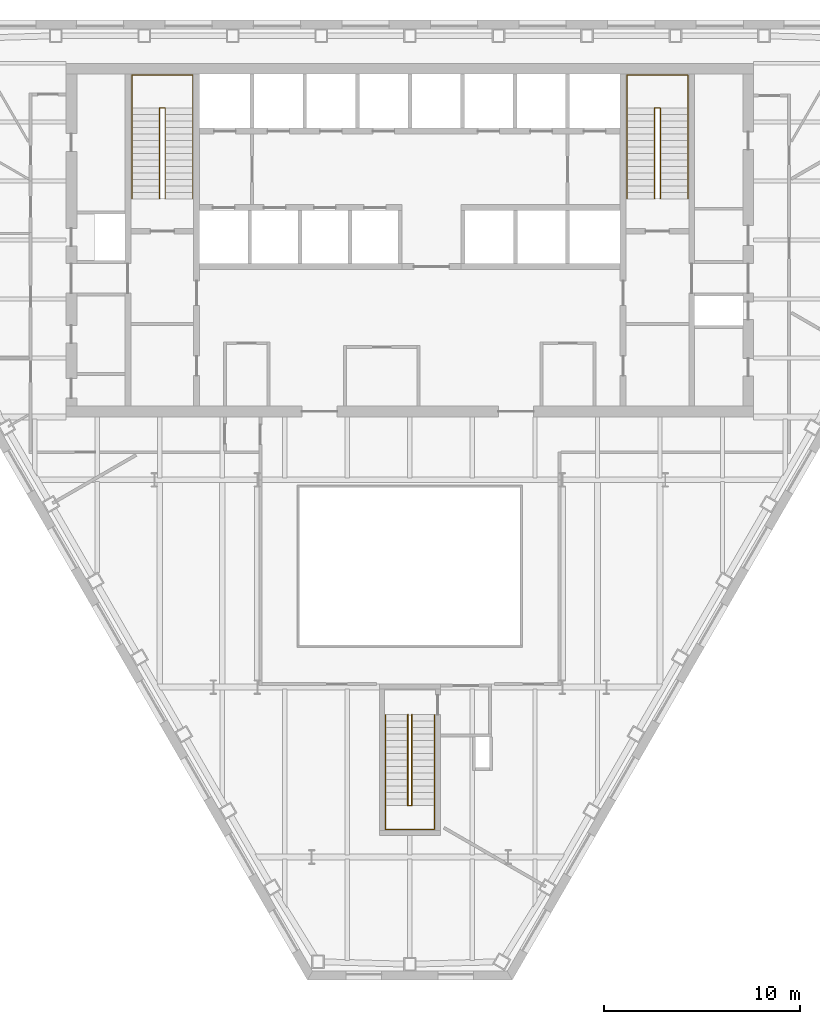
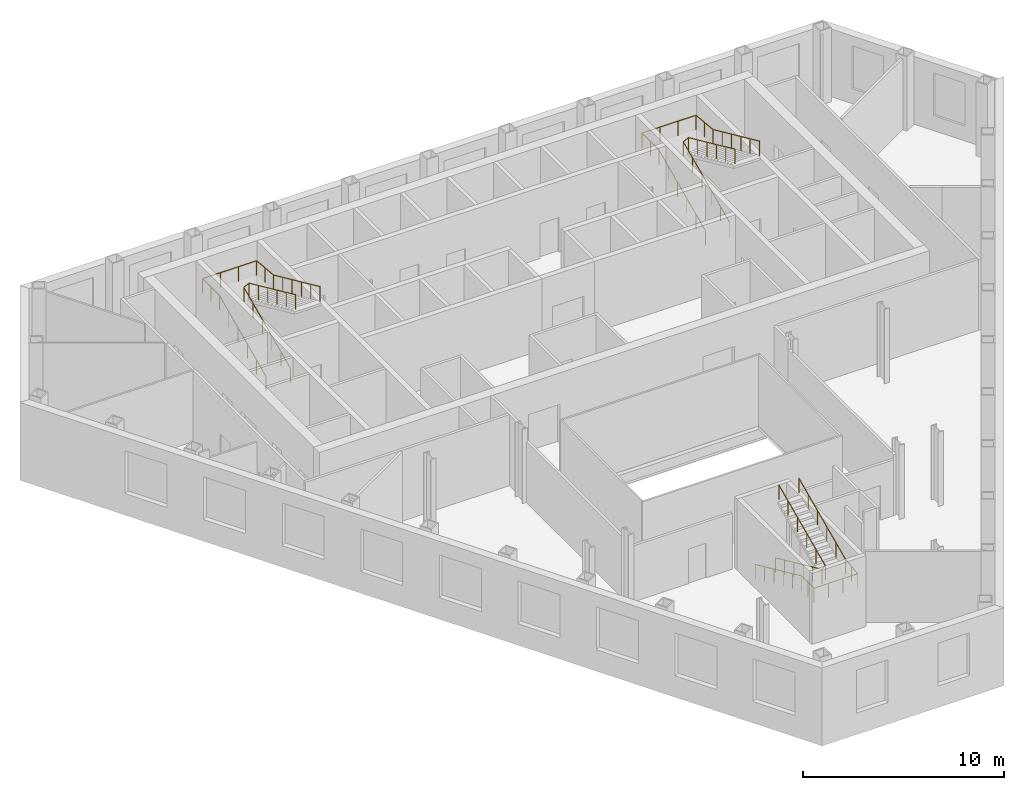
# One storey, part 11 of 11: 6 railings.
"""IFC4 building model written with IfcOpenShell, lengths in metres."""

from ifc_helpers import new_model, si_unit, direction, frame, origin, origin_2d, place, context, subcontext, project, spatial, circle, extrude, material, type_object, element, save


model = new_model("IFC4")

# Units and contexts
model_context = context("Model", 3, precision=1e-05, world=origin(), true_north=direction((0.0, 1.0)))
body_context = subcontext(model_context, "Body", "Model", "MODEL_VIEW")
ifc_project = project(units=[si_unit("LENGTHUNIT", "METRE"), si_unit("AREAUNIT", "SQUARE_METRE"), si_unit("VOLUMEUNIT", "CUBIC_METRE"), si_unit("PLANEANGLEUNIT", "RADIAN"), si_unit("MASSUNIT", "GRAM", prefix="KILO")], contexts=[model_context])

# Site, building, storey
site_placement = place(None, origin())
site = spatial("IfcSite", under=ifc_project, at=site_placement, CompositionType="ELEMENT")
building_placement = place(site_placement, origin())
building = spatial("IfcBuilding", under=site, at=building_placement, Name="Njiva Tower", CompositionType="ELEMENT")
storey_placement = place(building_placement, frame((0.0, 0.0, 93.3)))
storey = spatial("IfcBuildingStorey", under=building, at=storey_placement, Name="L19", CompositionType="ELEMENT", Elevation=93.3)

# Railings
ifc_material = material(Name="Stainless steel", Category="steel")
railing_type = type_object("IfcRailingType", Name="RL1 Stair handrail 900", PredefinedType="HANDRAIL", material=ifc_material)
railing_1_placement = place(storey_placement, frame((-14.15, 11.1, 0.15)))
element("IfcRailing", 1, at=railing_1_placement, inside=storey, type_object=railing_type, Name="Stair A handrail", PredefinedType="HANDRAIL", context=body_context, shape_type="SweptSolid", body=[
    extrude(circle(Radius=0.024, at=origin_2d()), frame((0.0, 0.0, 0.876), z_axis=(0.0, 0.910366477463, 0.413802944301), x_axis=(-1.0, 0.0, 0.0)), (0.0, 0.0, 1.0), 5.0749),
    extrude(circle(Radius=0.024, at=origin_2d()), frame((0.0, 4.62, 2.976), z_axis=(0.0, 1.0, 0.0), x_axis=(-1.0, 0.0, 0.0)), (0.0, 0.0, 1.0), 1.68),
    extrude(circle(Radius=0.024, at=origin_2d()), frame((0.0, 6.3, 2.976), z_axis=(1.0, 0.0, 0.0), x_axis=(0.0, 1.0, 0.0)), (0.0, 0.0, 1.0), 3.1),
    extrude(circle(Radius=0.024, at=origin_2d()), frame((3.1, 6.3, 2.976), z_axis=(0.0, -0.996037705314, 0.088931937975), x_axis=(1.0, 0.0, 0.0)), (0.0, 0.0, 1.0), 1.6867),
    extrude(circle(Radius=0.024, at=origin_2d()), frame((3.1, 4.62, 3.126), z_axis=(0.0, -0.910366477463, 0.413802944301), x_axis=(1.0, 0.0, 0.0)), (0.0, 0.0, 1.0), 5.0749),
    extrude(circle(Radius=0.021, at=origin_2d()), origin(), (0.0, 0.0, 1.0), 0.852),
    extrude(circle(Radius=0.021, at=origin_2d()), frame((0.0, 0.924, 0.42)), (0.0, 0.0, 1.0), 0.852),
    extrude(circle(Radius=0.021, at=origin_2d()), frame((0.0, 1.848, 0.84)), (0.0, 0.0, 1.0), 0.852),
    extrude(circle(Radius=0.021, at=origin_2d()), frame((0.0, 2.772, 1.26)), (0.0, 0.0, 1.0), 0.852),
    extrude(circle(Radius=0.021, at=origin_2d()), frame((0.0, 3.696, 1.68)), (0.0, 0.0, 1.0), 0.852),
    extrude(circle(Radius=0.021, at=origin_2d()), frame((0.0, 4.62, 2.1)), (0.0, 0.0, 1.0), 0.852),
    extrude(circle(Radius=0.021, at=origin_2d()), frame((0.0, 5.46, 2.1)), (0.0, 0.0, 1.0), 0.852),
    extrude(circle(Radius=0.021, at=origin_2d()), frame((0.0, 6.3, 2.1)), (0.0, 0.0, 1.0), 0.852),
    extrude(circle(Radius=0.021, at=origin_2d()), frame((1.0333, 6.3, 2.1)), (0.0, 0.0, 1.0), 0.852),
    extrude(circle(Radius=0.021, at=origin_2d()), frame((2.0667, 6.3, 2.1)), (0.0, 0.0, 1.0), 0.852),
    extrude(circle(Radius=0.021, at=origin_2d()), frame((3.1, 6.3, 2.1)), (0.0, 0.0, 1.0), 0.852),
    extrude(circle(Radius=0.021, at=origin_2d()), frame((3.1, 5.46, 2.175)), (0.0, 0.0, 1.0), 0.852),
    extrude(circle(Radius=0.021, at=origin_2d()), frame((3.1, 4.62, 2.25)), (0.0, 0.0, 1.0), 0.852),
    extrude(circle(Radius=0.021, at=origin_2d()), frame((3.1, 3.696, 2.67)), (0.0, 0.0, 1.0), 0.852),
    extrude(circle(Radius=0.021, at=origin_2d()), frame((3.1, 2.772, 3.09)), (0.0, 0.0, 1.0), 0.852),
    extrude(circle(Radius=0.021, at=origin_2d()), frame((3.1, 1.848, 3.51)), (0.0, 0.0, 1.0), 0.852),
    extrude(circle(Radius=0.021, at=origin_2d()), frame((3.1, 0.924, 3.93)), (0.0, 0.0, 1.0), 0.852),
    extrude(circle(Radius=0.021, at=origin_2d()), frame((3.1, 0.0, 4.35)), (0.0, 0.0, 1.0), 0.852),
])
railing_2_placement = place(storey_placement, frame((-12.75, 11.1, 0.15)))
element("IfcRailing", 2, at=railing_2_placement, inside=storey, type_object=railing_type, Name="Stair A handrail", PredefinedType="HANDRAIL", context=body_context, shape_type="SweptSolid", body=[
    extrude(circle(Radius=0.024, at=origin_2d()), frame((0.0, 0.0, 0.876), z_axis=(0.0, 0.910366477463, 0.413802944301), x_axis=(-1.0, 0.0, 0.0)), (0.0, 0.0, 1.0), 5.0749),
    extrude(circle(Radius=0.024, at=origin_2d()), frame((0.0, 4.62, 2.976), z_axis=(0.894427191, 0.0, 0.4472135955), x_axis=(0.0, 1.0, 0.0)), (0.0, 0.0, 1.0), 0.3354),
    extrude(circle(Radius=0.024, at=origin_2d()), frame((0.3, 4.62, 3.126), z_axis=(0.0, -0.910366477463, 0.413802944301), x_axis=(1.0, 0.0, 0.0)), (0.0, 0.0, 1.0), 5.0749),
    extrude(circle(Radius=0.021, at=origin_2d()), origin(), (0.0, 0.0, 1.0), 0.852),
    extrude(circle(Radius=0.021, at=origin_2d()), frame((0.0, 0.924, 0.42)), (0.0, 0.0, 1.0), 0.852),
    extrude(circle(Radius=0.021, at=origin_2d()), frame((0.0, 1.848, 0.84)), (0.0, 0.0, 1.0), 0.852),
    extrude(circle(Radius=0.021, at=origin_2d()), frame((0.0, 2.772, 1.26)), (0.0, 0.0, 1.0), 0.852),
    extrude(circle(Radius=0.021, at=origin_2d()), frame((0.0, 3.696, 1.68)), (0.0, 0.0, 1.0), 0.852),
    extrude(circle(Radius=0.021, at=origin_2d()), frame((0.0, 4.62, 2.1)), (0.0, 0.0, 1.0), 0.852),
    extrude(circle(Radius=0.021, at=origin_2d()), frame((0.3, 4.62, 2.25)), (0.0, 0.0, 1.0), 0.852),
    extrude(circle(Radius=0.021, at=origin_2d()), frame((0.3, 3.696, 2.67)), (0.0, 0.0, 1.0), 0.852),
    extrude(circle(Radius=0.021, at=origin_2d()), frame((0.3, 2.772, 3.09)), (0.0, 0.0, 1.0), 0.852),
    extrude(circle(Radius=0.021, at=origin_2d()), frame((0.3, 1.848, 3.51)), (0.0, 0.0, 1.0), 0.852),
    extrude(circle(Radius=0.021, at=origin_2d()), frame((0.3, 0.924, 3.93)), (0.0, 0.0, 1.0), 0.852),
    extrude(circle(Radius=0.021, at=origin_2d()), frame((0.3, 0.0, 4.35)), (0.0, 0.0, 1.0), 0.852),
])
railing_3_placement = place(storey_placement, frame((11.05, 11.1, 0.15)))
element("IfcRailing", 3, at=railing_3_placement, inside=storey, type_object=railing_type, Name="Stair B handrail", PredefinedType="HANDRAIL", context=body_context, shape_type="SweptSolid", body=[
    extrude(circle(Radius=0.024, at=origin_2d()), frame((0.0, 0.0, 0.876), z_axis=(0.0, 0.910366477463, 0.413802944301), x_axis=(-1.0, 0.0, 0.0)), (0.0, 0.0, 1.0), 5.0749),
    extrude(circle(Radius=0.024, at=origin_2d()), frame((0.0, 4.62, 2.976), z_axis=(0.0, 1.0, 0.0), x_axis=(-1.0, 0.0, 0.0)), (0.0, 0.0, 1.0), 1.68),
    extrude(circle(Radius=0.024, at=origin_2d()), frame((0.0, 6.3, 2.976), z_axis=(1.0, 0.0, 0.0), x_axis=(0.0, 1.0, 0.0)), (0.0, 0.0, 1.0), 3.1),
    extrude(circle(Radius=0.024, at=origin_2d()), frame((3.1, 6.3, 2.976), z_axis=(0.0, -0.996037705314, 0.088931937975), x_axis=(1.0, 0.0, 0.0)), (0.0, 0.0, 1.0), 1.6867),
    extrude(circle(Radius=0.024, at=origin_2d()), frame((3.1, 4.62, 3.126), z_axis=(0.0, -0.910366477463, 0.413802944301), x_axis=(1.0, 0.0, 0.0)), (0.0, 0.0, 1.0), 5.0749),
    extrude(circle(Radius=0.021, at=origin_2d()), origin(), (0.0, 0.0, 1.0), 0.852),
    extrude(circle(Radius=0.021, at=origin_2d()), frame((0.0, 0.924, 0.42)), (0.0, 0.0, 1.0), 0.852),
    extrude(circle(Radius=0.021, at=origin_2d()), frame((0.0, 1.848, 0.84)), (0.0, 0.0, 1.0), 0.852),
    extrude(circle(Radius=0.021, at=origin_2d()), frame((0.0, 2.772, 1.26)), (0.0, 0.0, 1.0), 0.852),
    extrude(circle(Radius=0.021, at=origin_2d()), frame((0.0, 3.696, 1.68)), (0.0, 0.0, 1.0), 0.852),
    extrude(circle(Radius=0.021, at=origin_2d()), frame((0.0, 4.62, 2.1)), (0.0, 0.0, 1.0), 0.852),
    extrude(circle(Radius=0.021, at=origin_2d()), frame((0.0, 5.46, 2.1)), (0.0, 0.0, 1.0), 0.852),
    extrude(circle(Radius=0.021, at=origin_2d()), frame((0.0, 6.3, 2.1)), (0.0, 0.0, 1.0), 0.852),
    extrude(circle(Radius=0.021, at=origin_2d()), frame((1.0333, 6.3, 2.1)), (0.0, 0.0, 1.0), 0.852),
    extrude(circle(Radius=0.021, at=origin_2d()), frame((2.0667, 6.3, 2.1)), (0.0, 0.0, 1.0), 0.852),
    extrude(circle(Radius=0.021, at=origin_2d()), frame((3.1, 6.3, 2.1)), (0.0, 0.0, 1.0), 0.852),
    extrude(circle(Radius=0.021, at=origin_2d()), frame((3.1, 5.46, 2.175)), (0.0, 0.0, 1.0), 0.852),
    extrude(circle(Radius=0.021, at=origin_2d()), frame((3.1, 4.62, 2.25)), (0.0, 0.0, 1.0), 0.852),
    extrude(circle(Radius=0.021, at=origin_2d()), frame((3.1, 3.696, 2.67)), (0.0, 0.0, 1.0), 0.852),
    extrude(circle(Radius=0.021, at=origin_2d()), frame((3.1, 2.772, 3.09)), (0.0, 0.0, 1.0), 0.852),
    extrude(circle(Radius=0.021, at=origin_2d()), frame((3.1, 1.848, 3.51)), (0.0, 0.0, 1.0), 0.852),
    extrude(circle(Radius=0.021, at=origin_2d()), frame((3.1, 0.924, 3.93)), (0.0, 0.0, 1.0), 0.852),
    extrude(circle(Radius=0.021, at=origin_2d()), frame((3.1, 0.0, 4.35)), (0.0, 0.0, 1.0), 0.852),
])
railing_4_placement = place(storey_placement, frame((12.45, 11.1, 0.15)))
element("IfcRailing", 4, at=railing_4_placement, inside=storey, type_object=railing_type, Name="Stair B handrail", PredefinedType="HANDRAIL", context=body_context, shape_type="SweptSolid", body=[
    extrude(circle(Radius=0.024, at=origin_2d()), frame((0.0, 0.0, 0.876), z_axis=(0.0, 0.910366477463, 0.413802944301), x_axis=(-1.0, 0.0, 0.0)), (0.0, 0.0, 1.0), 5.0749),
    extrude(circle(Radius=0.024, at=origin_2d()), frame((0.0, 4.62, 2.976), z_axis=(0.894427191, 0.0, 0.4472135955), x_axis=(0.0, 1.0, 0.0)), (0.0, 0.0, 1.0), 0.3354),
    extrude(circle(Radius=0.024, at=origin_2d()), frame((0.3, 4.62, 3.126), z_axis=(0.0, -0.910366477463, 0.413802944301), x_axis=(1.0, 0.0, 0.0)), (0.0, 0.0, 1.0), 5.0749),
    extrude(circle(Radius=0.021, at=origin_2d()), origin(), (0.0, 0.0, 1.0), 0.852),
    extrude(circle(Radius=0.021, at=origin_2d()), frame((0.0, 0.924, 0.42)), (0.0, 0.0, 1.0), 0.852),
    extrude(circle(Radius=0.021, at=origin_2d()), frame((0.0, 1.848, 0.84)), (0.0, 0.0, 1.0), 0.852),
    extrude(circle(Radius=0.021, at=origin_2d()), frame((0.0, 2.772, 1.26)), (0.0, 0.0, 1.0), 0.852),
    extrude(circle(Radius=0.021, at=origin_2d()), frame((0.0, 3.696, 1.68)), (0.0, 0.0, 1.0), 0.852),
    extrude(circle(Radius=0.021, at=origin_2d()), frame((0.0, 4.62, 2.1)), (0.0, 0.0, 1.0), 0.852),
    extrude(circle(Radius=0.021, at=origin_2d()), frame((0.3, 4.62, 2.25)), (0.0, 0.0, 1.0), 0.852),
    extrude(circle(Radius=0.021, at=origin_2d()), frame((0.3, 3.696, 2.67)), (0.0, 0.0, 1.0), 0.852),
    extrude(circle(Radius=0.021, at=origin_2d()), frame((0.3, 2.772, 3.09)), (0.0, 0.0, 1.0), 0.852),
    extrude(circle(Radius=0.021, at=origin_2d()), frame((0.3, 1.848, 3.51)), (0.0, 0.0, 1.0), 0.852),
    extrude(circle(Radius=0.021, at=origin_2d()), frame((0.3, 0.924, 3.93)), (0.0, 0.0, 1.0), 0.852),
    extrude(circle(Radius=0.021, at=origin_2d()), frame((0.3, 0.0, 4.35)), (0.0, 0.0, 1.0), 0.852),
])
railing_5_placement = place(storey_placement, frame((-1.25, -15.16, 0.15)))
element("IfcRailing", 5, at=railing_5_placement, inside=storey, type_object=railing_type, Name="Stair C handrail", PredefinedType="HANDRAIL", context=body_context, shape_type="SweptSolid", body=[
    extrude(circle(Radius=0.024, at=origin_2d()), frame((0.0, 0.0, 0.876), z_axis=(0.0, -0.910366477463, 0.413802944301), x_axis=(1.0, 0.0, 0.0)), (0.0, 0.0, 1.0), 5.0749),
    extrude(circle(Radius=0.024, at=origin_2d()), frame((0.0, -4.62, 2.976), z_axis=(0.0, -1.0, 0.0), x_axis=(1.0, 0.0, 0.0)), (0.0, 0.0, 1.0), 1.22),
    extrude(circle(Radius=0.024, at=origin_2d()), frame((0.0, -5.84, 2.976), z_axis=(1.0, 0.0, 0.0), x_axis=(0.0, 1.0, 0.0)), (0.0, 0.0, 1.0), 2.5),
    extrude(circle(Radius=0.024, at=origin_2d()), frame((2.5, -5.84, 2.976), z_axis=(0.0, 0.992526177815, 0.122031907108), x_axis=(-1.0, 0.0, 0.0)), (0.0, 0.0, 1.0), 1.2292),
    extrude(circle(Radius=0.024, at=origin_2d()), frame((2.5, -4.62, 3.126), z_axis=(0.0, 0.910366477463, 0.413802944301), x_axis=(-1.0, 0.0, 0.0)), (0.0, 0.0, 1.0), 5.0749),
    extrude(circle(Radius=0.021, at=origin_2d()), origin(), (0.0, 0.0, 1.0), 0.852),
    extrude(circle(Radius=0.021, at=origin_2d()), frame((0.0, -0.924, 0.42)), (0.0, 0.0, 1.0), 0.852),
    extrude(circle(Radius=0.021, at=origin_2d()), frame((0.0, -1.848, 0.84)), (0.0, 0.0, 1.0), 0.852),
    extrude(circle(Radius=0.021, at=origin_2d()), frame((0.0, -2.772, 1.26)), (0.0, 0.0, 1.0), 0.852),
    extrude(circle(Radius=0.021, at=origin_2d()), frame((0.0, -3.696, 1.68)), (0.0, 0.0, 1.0), 0.852),
    extrude(circle(Radius=0.021, at=origin_2d()), frame((0.0, -4.62, 2.1)), (0.0, 0.0, 1.0), 0.852),
    extrude(circle(Radius=0.021, at=origin_2d()), frame((0.0, -5.23, 2.1)), (0.0, 0.0, 1.0), 0.852),
    extrude(circle(Radius=0.021, at=origin_2d()), frame((0.0, -5.84, 2.1)), (0.0, 0.0, 1.0), 0.852),
    extrude(circle(Radius=0.021, at=origin_2d()), frame((0.8333, -5.84, 2.1)), (0.0, 0.0, 1.0), 0.852),
    extrude(circle(Radius=0.021, at=origin_2d()), frame((1.6667, -5.84, 2.1)), (0.0, 0.0, 1.0), 0.852),
    extrude(circle(Radius=0.021, at=origin_2d()), frame((2.5, -5.84, 2.1)), (0.0, 0.0, 1.0), 0.852),
    extrude(circle(Radius=0.021, at=origin_2d()), frame((2.5, -5.23, 2.175)), (0.0, 0.0, 1.0), 0.852),
    extrude(circle(Radius=0.021, at=origin_2d()), frame((2.5, -4.62, 2.25)), (0.0, 0.0, 1.0), 0.852),
    extrude(circle(Radius=0.021, at=origin_2d()), frame((2.5, -3.696, 2.67)), (0.0, 0.0, 1.0), 0.852),
    extrude(circle(Radius=0.021, at=origin_2d()), frame((2.5, -2.772, 3.09)), (0.0, 0.0, 1.0), 0.852),
    extrude(circle(Radius=0.021, at=origin_2d()), frame((2.5, -1.848, 3.51)), (0.0, 0.0, 1.0), 0.852),
    extrude(circle(Radius=0.021, at=origin_2d()), frame((2.5, -0.924, 3.93)), (0.0, 0.0, 1.0), 0.852),
    extrude(circle(Radius=0.021, at=origin_2d()), frame((2.5, 0.0, 4.35)), (0.0, 0.0, 1.0), 0.852),
])
railing_6_placement = place(storey_placement, frame((-0.1, -15.16, 0.15)))
element("IfcRailing", 6, at=railing_6_placement, inside=storey, type_object=railing_type, Name="Stair C handrail", PredefinedType="HANDRAIL", context=body_context, shape_type="SweptSolid", body=[
    extrude(circle(Radius=0.024, at=origin_2d()), frame((0.0, 0.0, 0.876), z_axis=(0.0, -0.910366477463, 0.413802944301), x_axis=(1.0, 0.0, 0.0)), (0.0, 0.0, 1.0), 5.0749),
    extrude(circle(Radius=0.024, at=origin_2d()), frame((0.0, -4.62, 2.976), z_axis=(0.8, 0.0, 0.6), x_axis=(0.0, 1.0, 0.0)), (0.0, 0.0, 1.0), 0.25),
    extrude(circle(Radius=0.024, at=origin_2d()), frame((0.2, -4.62, 3.126), z_axis=(0.0, 0.910366477463, 0.413802944301), x_axis=(-1.0, 0.0, 0.0)), (0.0, 0.0, 1.0), 5.0749),
    extrude(circle(Radius=0.021, at=origin_2d()), origin(), (0.0, 0.0, 1.0), 0.852),
    extrude(circle(Radius=0.021, at=origin_2d()), frame((0.0, -0.924, 0.42)), (0.0, 0.0, 1.0), 0.852),
    extrude(circle(Radius=0.021, at=origin_2d()), frame((0.0, -1.848, 0.84)), (0.0, 0.0, 1.0), 0.852),
    extrude(circle(Radius=0.021, at=origin_2d()), frame((0.0, -2.772, 1.26)), (0.0, 0.0, 1.0), 0.852),
    extrude(circle(Radius=0.021, at=origin_2d()), frame((0.0, -3.696, 1.68)), (0.0, 0.0, 1.0), 0.852),
    extrude(circle(Radius=0.021, at=origin_2d()), frame((0.0, -4.62, 2.1)), (0.0, 0.0, 1.0), 0.852),
    extrude(circle(Radius=0.021, at=origin_2d()), frame((0.2, -4.62, 2.25)), (0.0, 0.0, 1.0), 0.852),
    extrude(circle(Radius=0.021, at=origin_2d()), frame((0.2, -3.696, 2.67)), (0.0, 0.0, 1.0), 0.852),
    extrude(circle(Radius=0.021, at=origin_2d()), frame((0.2, -2.772, 3.09)), (0.0, 0.0, 1.0), 0.852),
    extrude(circle(Radius=0.021, at=origin_2d()), frame((0.2, -1.848, 3.51)), (0.0, 0.0, 1.0), 0.852),
    extrude(circle(Radius=0.021, at=origin_2d()), frame((0.2, -0.924, 3.93)), (0.0, 0.0, 1.0), 0.852),
    extrude(circle(Radius=0.021, at=origin_2d()), frame((0.2, 0.0, 4.35)), (0.0, 0.0, 1.0), 0.852),
])

save(model, "model.ifc")
